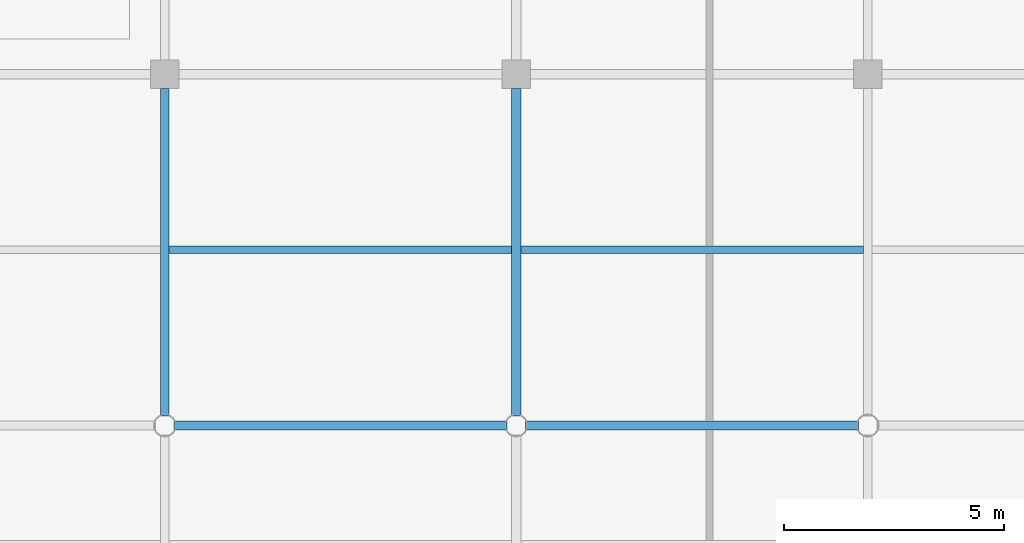
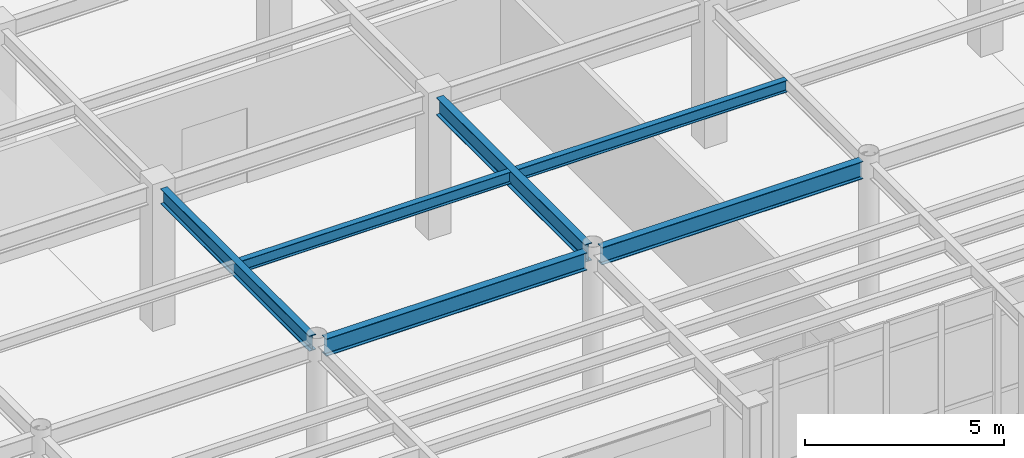
# One storey, part 41 of 111: 6 beams.
"""IFC4 building model written with IfcOpenShell, lengths in metres."""

from ifc_helpers import new_model, si_unit, direction, frame, origin, origin_2d, place, context, subcontext, project, spatial, i_section, extrude, material, material_profile, profile_set, type_object, element, save


model = new_model("IFC4")

# Units and contexts
model_context = context("Model", 3, precision=1e-05, world=origin(), true_north=direction((0.0, 1.0)))
body_context = subcontext(model_context, "Body", "Model", "MODEL_VIEW")
ifc_project = project(units=[si_unit("LENGTHUNIT", "METRE"), si_unit("AREAUNIT", "SQUARE_METRE"), si_unit("VOLUMEUNIT", "CUBIC_METRE"), si_unit("PLANEANGLEUNIT", "RADIAN"), si_unit("MASSUNIT", "GRAM", prefix="KILO")], contexts=[model_context])

# Site, building, storey
site_placement = place(None, origin())
site = spatial("IfcSite", under=ifc_project, at=site_placement, CompositionType="ELEMENT")
building_placement = place(site_placement, origin())
building = spatial("IfcBuilding", under=site, at=building_placement, Name="Solmirada Galleria", CompositionType="ELEMENT")
storey_placement = place(building_placement, frame((0.0, 0.0, 10.39990234375)))
storey = spatial("IfcBuildingStorey", under=building, at=storey_placement, Name="L02", CompositionType="ELEMENT", Elevation=10.39990234375)

# Beams
ifc_material = material(Name="Steel S355 / ASTM A992 Grade 50", Category="steel")
ifc_material_profile_1 = material_profile(ifc_material, i_section(OverallWidth=0.194091796875, OverallDepth=0.468994140625, WebThickness=0.0126953125, FlangeThickness=0.0205078125, FilletRadius=0.013916015625, at=origin_2d()), Name="W18X71")
ifc_profile_set_1 = profile_set([ifc_material_profile_1], Name="Steel S355 / ASTM A992 Grade 50")
beam_type_1 = type_object("IfcBeamType", Name="BM-GIRD-W18B", PredefinedType="BEAM", material=ifc_profile_set_1)
beam_1_placement = place(storey_placement, frame((56.0, 88.21337890625, 4.065673828125), z_axis=(0.0, 1.0, 0.0), x_axis=(-1.0, 0.0, 0.0)))
element("IfcBeam", 1, at=beam_1_placement, inside=storey, type_object=beam_type_1, Name="Primary girder L03 Y(56, 88..96)", PredefinedType="BEAM", context=body_context, shape_type="SweptSolid", body=[
    extrude(i_section(OverallWidth=0.194091796875, OverallDepth=0.468994140625, WebThickness=0.0126953125, FlangeThickness=0.0205078125, FilletRadius=0.013916015625, at=origin_2d()), origin(), (0.0, 0.0, 1.0), 7.461669921875),
])
ifc_material_profile_2 = material_profile(ifc_material, i_section(OverallWidth=0.2099609375, OverallDepth=0.537109375, WebThickness=0.010986328125, FlangeThickness=0.017333984375, FilletRadius=0.014892578125, at=origin_2d()), Name="W21X68")
ifc_profile_set_2 = profile_set([ifc_material_profile_2], Name="Steel S355 / ASTM A992 Grade 50")
beam_type_2 = type_object("IfcBeamType", Name="BM-GIRD-W21B", PredefinedType="BEAM", material=ifc_profile_set_2)
for number, where, z_axis, x_axis, name in (
    (2, (56.21337890625, 88.0, 4.031494140625), (1.0, 0.0, 0.0), (0.0, 1.0, 0.0), "Primary beam L03 X(56..64, 88)"),
    (3, (64.21337890625, 88.0, 4.031494140625), (1.0, 0.0, 0.0), (0.0, 1.0, 0.0), "Primary beam L03 X(64..72, 88)"),
):
    element("IfcBeam", number, at=place(storey_placement, frame(where, z_axis=z_axis, x_axis=x_axis)), inside=storey, type_object=beam_type_2, Name=name, PredefinedType="BEAM", context=body_context, shape_type="SweptSolid", body=[
        extrude(i_section(OverallWidth=0.2099609375, OverallDepth=0.537109375, WebThickness=0.010986328125, FlangeThickness=0.017333984375, FilletRadius=0.014892578125, at=origin_2d()), origin(), (0.0, 0.0, 1.0), 7.5732421875),
    ])
beam_2_placement = place(storey_placement, frame((64.0, 88.21337890625, 4.031494140625), z_axis=(0.0, 1.0, 0.0), x_axis=(-1.0, 0.0, 0.0)))
element("IfcBeam", 4, at=beam_2_placement, inside=storey, type_object=beam_type_2, Name="Primary girder L03 Y(64, 88..96)", PredefinedType="BEAM", context=body_context, shape_type="SweptSolid", body=[
    extrude(i_section(OverallWidth=0.2099609375, OverallDepth=0.537109375, WebThickness=0.010986328125, FlangeThickness=0.017333984375, FilletRadius=0.014892578125, at=origin_2d()), origin(), (0.0, 0.0, 1.0), 7.461669921875),
])
ifc_material_profile_3 = material_profile(ifc_material, i_section(OverallWidth=0.172119140625, OverallDepth=0.35791015625, WebThickness=0.0078125, FlangeThickness=0.01318359375, FilletRadius=0.011962890625, at=origin_2d()), Name="W14X38")
ifc_profile_set_3 = profile_set([ifc_material_profile_3], Name="Steel S355 / ASTM A992 Grade 50")
beam_type_3 = type_object("IfcBeamType", Name="BM-JST-W14A", PredefinedType="JOIST", material=ifc_profile_set_3)
for number, where, z_axis, x_axis, name in (
    (5, (56.096923828125, 92.0, 4.12109375), (1.0, 0.0, 0.0), (0.0, 1.0, 0.0), "Composite floor joist L03 (56..64, 92.0)"),
    (6, (64.10498046875, 92.0, 4.12109375), (1.0, 0.0, 0.0), (0.0, 1.0, 0.0), "Composite floor joist L03 (64..72, 92.0)"),
):
    element("IfcBeam", number, at=place(storey_placement, frame(where, z_axis=z_axis, x_axis=x_axis)), inside=storey, type_object=beam_type_3, Name=name, PredefinedType="JOIST", context=body_context, shape_type="SweptSolid", body=[
        extrude(i_section(OverallWidth=0.172119140625, OverallDepth=0.35791015625, WebThickness=0.0078125, FlangeThickness=0.01318359375, FilletRadius=0.011962890625, at=origin_2d()), origin(), (0.0, 0.0, 1.0), 7.798095703125),
    ])

save(model, "model.ifc")
